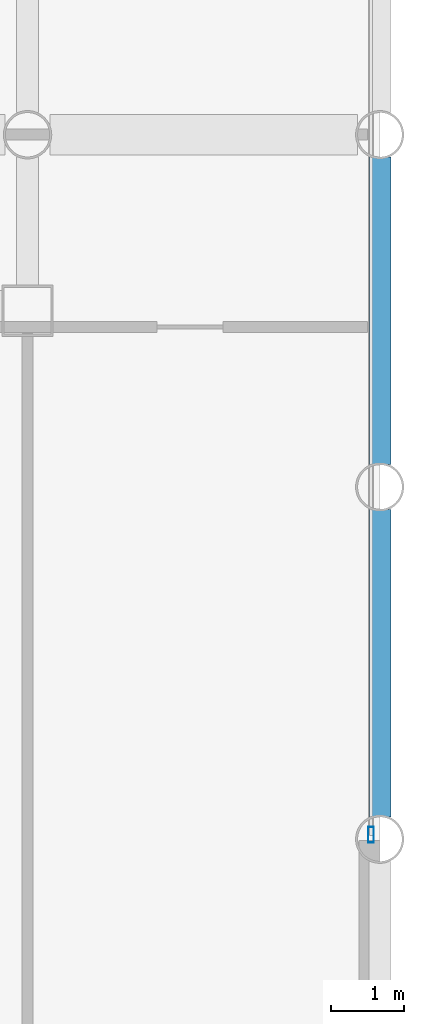
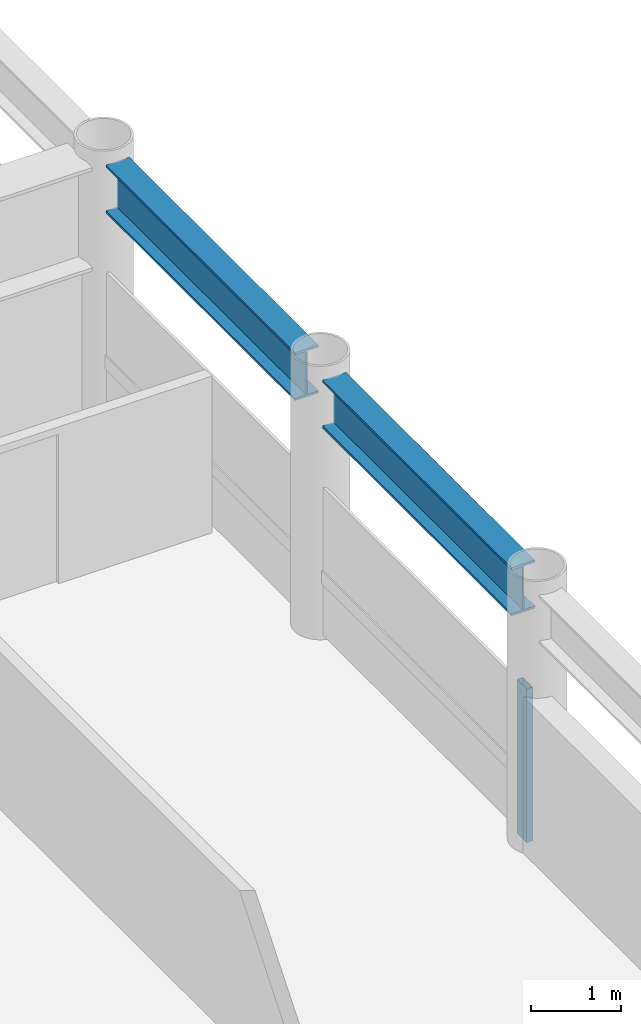
# One storey, part 10 of 24: 2 beams, 1 member, 1 element without a shape of its own.
"""IFC4 building model written with IfcOpenShell, lengths in metres."""

from ifc_helpers import new_model, si_unit, direction, frame, origin, origin_2d, place, context, subcontext, project, spatial, hollow_rectangle, i_section, extrude, material, layer, layer_set, material_profile, profile_set, type_object, element, aggregate, save


model = new_model("IFC4")

# Units and contexts
model_context = context("Model", 3, precision=1e-05, world=origin(), true_north=direction((0.0, 1.0)))
body_context = subcontext(model_context, "Body", "Model", "MODEL_VIEW")
ifc_project = project(units=[si_unit("LENGTHUNIT", "METRE"), si_unit("AREAUNIT", "SQUARE_METRE"), si_unit("VOLUMEUNIT", "CUBIC_METRE"), si_unit("PLANEANGLEUNIT", "RADIAN"), si_unit("MASSUNIT", "GRAM", prefix="KILO")], contexts=[model_context])

# Site, building, storey
site_placement = place(None, origin())
site = spatial("IfcSite", under=ifc_project, at=site_placement, CompositionType="ELEMENT")
building_placement = place(site_placement, origin())
building = spatial("IfcBuilding", under=site, at=building_placement, Name="Kallvorn Hotel Tower", CompositionType="ELEMENT")
storey_placement = place(building_placement, frame((0.0, 0.0, 150.699951171875)))
storey = spatial("IfcBuildingStorey", under=building, at=storey_placement, Name="L37", CompositionType="ELEMENT", Elevation=150.699951171875)

# Beams
ifc_material_1 = material(Name="Structural steel S355JR", Category="steel")
ifc_material_profile_1 = material_profile(ifc_material_1, i_section(OverallWidth=0.300048828125, OverallDepth=0.64990234375, WebThickness=0.01611328125, FlangeThickness=0.031005859375, at=origin_2d()), Name="HE 650 B")
ifc_profile_set_1 = profile_set([ifc_material_profile_1], Name="Structural steel S355JR")
beam_type = type_object("IfcBeamType", Name="BM_HE650B", PredefinedType="BEAM", material=ifc_profile_set_1)
beam_1_placement = place(storey_placement, frame((28.800048828125, 0.304931640625, 3.195068359375), z_axis=(0.0, 1.0, 0.0), x_axis=(-1.0, 0.0, 0.0)))
element("IfcBeam", 1, at=beam_1_placement, inside=storey, type_object=beam_type, Name="L38 Primary Y-Girder 160", PredefinedType="BEAM", context=body_context, shape_type="SweptSolid", body=[
    extrude(i_section(OverallWidth=0.300048828125, OverallDepth=0.64990234375, WebThickness=0.01611328125, FlangeThickness=0.031005859375, at=origin_2d()), origin(), (0.0, 0.0, 1.0), 4.190185546875),
])
beam_2_placement = place(storey_placement, frame((28.800048828125, 5.10498046875, 3.195068359375), z_axis=(0.0, 1.0, 0.0), x_axis=(-1.0, 0.0, 0.0)))
element("IfcBeam", 2, at=beam_2_placement, inside=storey, type_object=beam_type, Name="L38 Primary Y-Girder 161", PredefinedType="BEAM", context=body_context, shape_type="SweptSolid", body=[
    extrude(i_section(OverallWidth=0.300048828125, OverallDepth=0.64990234375, WebThickness=0.01611328125, FlangeThickness=0.031005859375, at=origin_2d()), origin(), (0.0, 0.0, 1.0), 4.18994140625),
])

# Curtain wall, member
ifc_material_2 = material(Name="Thermally broken black-anodised aluminium AA 6063-T6", Category="aluminium")
ifc_layer = layer(ifc_material_2, 0.2099609375)
ifc_layer_set = layer_set([ifc_layer], Name="CW_SYS_4_HOTEL_MID")
curtain_wall_type = type_object("IfcCurtainWallType", Name="CW_SYS_4_HOTEL_MID", PredefinedType="USERDEFINED", material=ifc_layer_set)
curtain_wall_placement = place(storey_placement, origin())
curtain_wall = element("IfcCurtainWall", 3, at=curtain_wall_placement, inside=storey, type_object=curtain_wall_type, Name="L37 Dark-Glass Curtain Wall CW-L37-EN", ObjectType="UNITISED CURTAIN WALL", PredefinedType="USERDEFINED")
ifc_material_3 = material(Name="Thermally broken black-anodised aluminium AA 6063-T6", Category="aluminium")
ifc_material_profile_2 = material_profile(ifc_material_3, hollow_rectangle(XDim=0.080078125, YDim=0.219970703125, WallThickness=0.0048828125, at=origin_2d()), Name="MUL 220x80")
ifc_profile_set_2 = profile_set([ifc_material_profile_2], Name="Thermally broken black-anodised aluminium AA 6063-T6")
member_type = type_object("IfcMemberType", Name="CW_MULLION_220x80", PredefinedType="MULLION", material=ifc_profile_set_2)
member_placement = place(storey_placement, frame((28.679931640625, 0.06005859375, 0.02001953125), z_axis=(0.0, 0.0, 1.0), x_axis=(1.0, 0.0, 0.0)))
member = element("IfcMember", 4, at=member_placement, type_object=member_type, Name="CW-L37-EN Mullion 00", PredefinedType="MULLION", context=body_context, shape_type="SweptSolid", body=[
    extrude(hollow_rectangle(XDim=0.080078125, YDim=0.219970703125, WallThickness=0.0048828125, at=origin_2d()), origin(), (0.0, 0.0, 1.0), 2.080078125),
])
aggregate(curtain_wall, [member])

save(model, "model.ifc")
